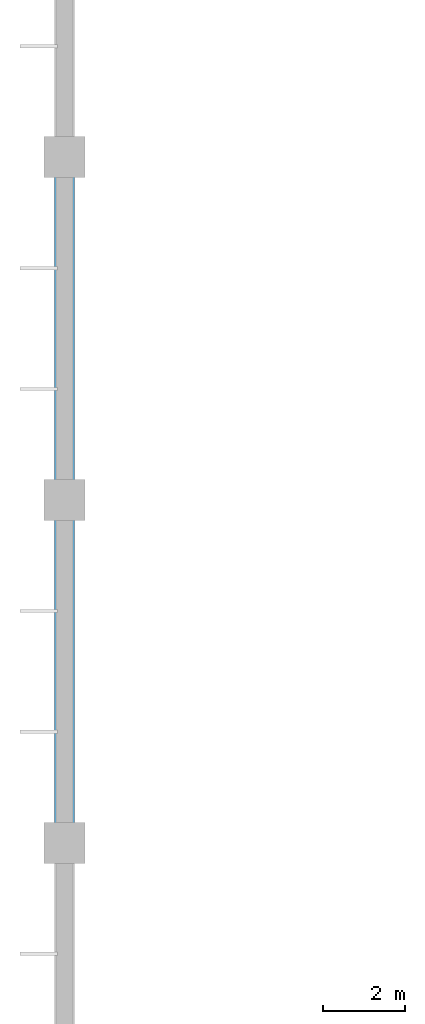
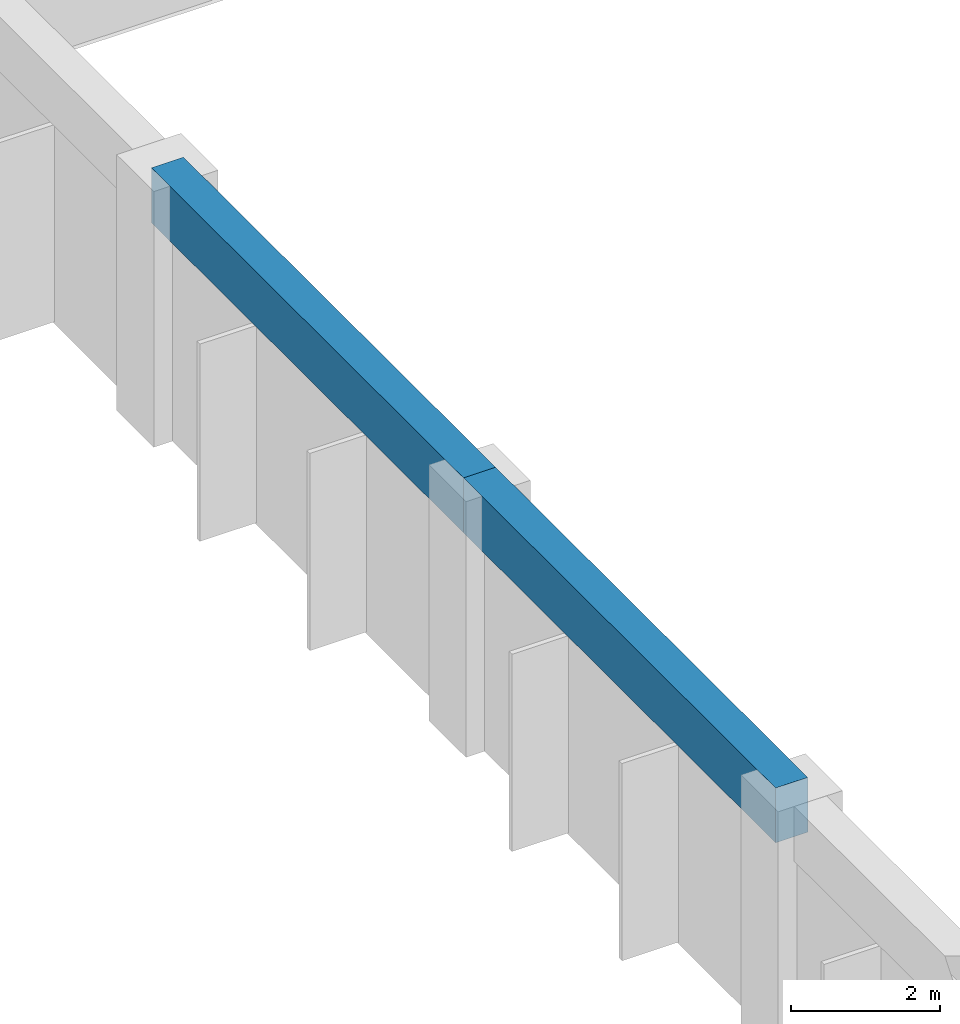
# One storey, part 6 of 34: 2 beams.
"""IFC4 building model written with IfcOpenShell, lengths in metres."""

from ifc_helpers import new_model, si_unit, direction, frame, origin, origin_2d, place, context, subcontext, project, spatial, rectangle, extrude, material, material_profile, profile_set, type_object, element, save


model = new_model("IFC4")

# Units and contexts
model_context = context("Model", 3, precision=1e-05, world=origin(), true_north=direction((0.0, 1.0)))
body_context = subcontext(model_context, "Body", "Model", "MODEL_VIEW")
ifc_project = project(units=[si_unit("LENGTHUNIT", "METRE"), si_unit("AREAUNIT", "SQUARE_METRE"), si_unit("VOLUMEUNIT", "CUBIC_METRE"), si_unit("PLANEANGLEUNIT", "RADIAN"), si_unit("MASSUNIT", "GRAM", prefix="KILO")], contexts=[model_context])

# Site, building, storey
site_placement = place(None, origin())
site = spatial("IfcSite", under=ifc_project, at=site_placement, CompositionType="ELEMENT")
building_placement = place(site_placement, origin())
building = spatial("IfcBuilding", under=site, at=building_placement, Name="Xuanlan Plaza Opera House", CompositionType="ELEMENT")
storey_placement = place(building_placement, frame((0.0, 0.0, 27.89990234375)))
storey = spatial("IfcBuildingStorey", under=building, at=storey_placement, Name="L06", CompositionType="ELEMENT", Elevation=27.89990234375)

# Beams
ifc_material = material(Name="Concrete C40", Category="concrete")
ifc_material_profile = material_profile(ifc_material, rectangle(XDim=0.5, YDim=0.89990234375, at=origin_2d()), Name="RC-BM 500x900")
ifc_profile_set = profile_set([ifc_material_profile], Name="Concrete C40")
beam_type = type_object("IfcBeamType", Name="STR-BM-B-03", PredefinedType="BEAM", material=ifc_profile_set)
beam_1_placement = place(storey_placement, frame((42.0, 50.39990234375, 3.75), z_axis=(0.0, 1.0, 0.0), x_axis=(-1.0, 0.0, 0.0)))
element("IfcBeam", 1, at=beam_1_placement, inside=storey, type_object=beam_type, Name="Fly Tower Ring Beam Y L06 6/G-H", PredefinedType="BEAM", context=body_context, shape_type="SweptSolid", body=[
    extrude(rectangle(XDim=0.5, YDim=0.89990234375, at=origin_2d()), origin(), (0.0, 0.0, 1.0), 8.400146484375),
])
beam_2_placement = place(storey_placement, frame((42.0, 58.800048828125, 3.75), z_axis=(0.0, 1.0, 0.0), x_axis=(-1.0, 0.0, 0.0)))
element("IfcBeam", 2, at=beam_2_placement, inside=storey, type_object=beam_type, Name="Fly Tower Ring Beam Y L06 6/H-I", PredefinedType="BEAM", context=body_context, shape_type="SweptSolid", body=[
    extrude(rectangle(XDim=0.5, YDim=0.89990234375, at=origin_2d()), origin(), (0.0, 0.0, 1.0), 8.39990234375),
])

save(model, "model.ifc")
